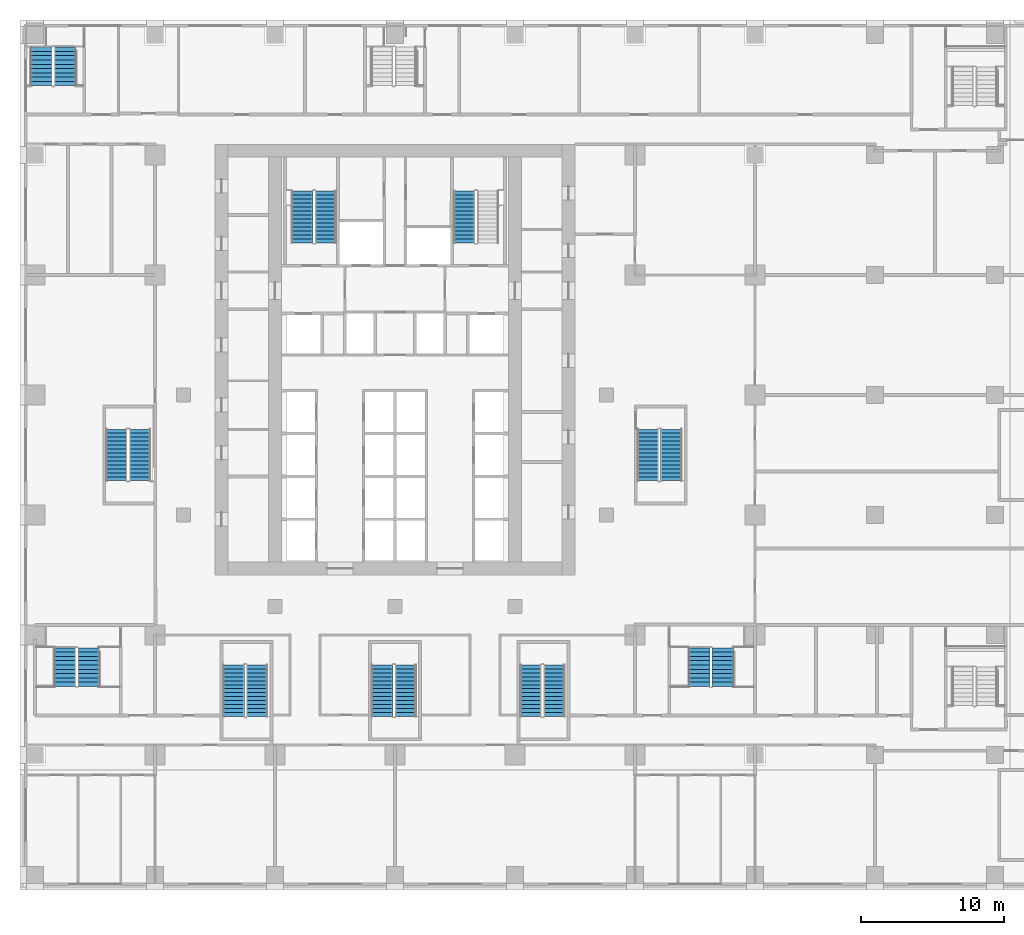
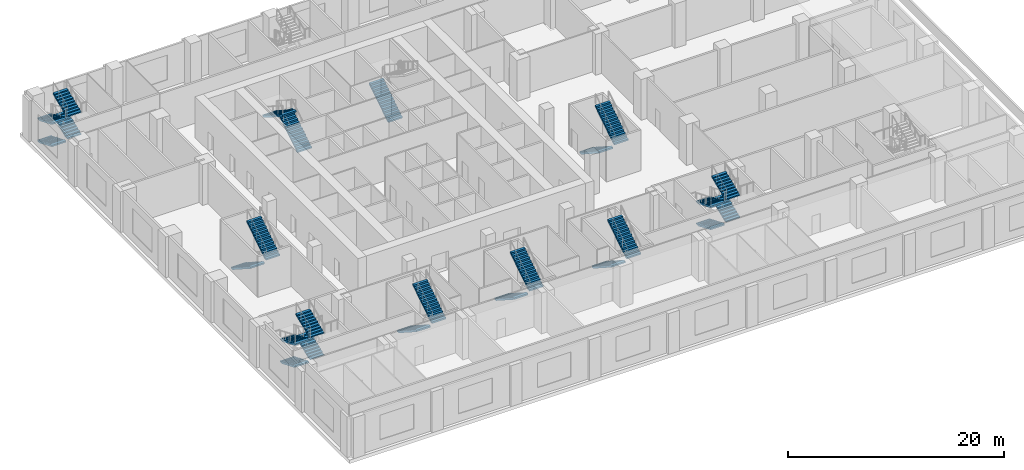
# One storey, part 13 of 23: 25 stair flights, 10 elements without a shape of their own.
"""IFC4 building model written with IfcOpenShell, lengths in metres."""

from ifc_helpers import new_model, si_unit, direction, frame, origin, place, context, subcontext, project, spatial, polyline, outline, extrude, material, type_object, element, aggregate, save


model = new_model("IFC4")

# Units and contexts
model_context = context("Model", 3, precision=1e-05, world=origin(), true_north=direction((0.0, 1.0)))
body_context = subcontext(model_context, "Body", "Model", "MODEL_VIEW")
ifc_project = project(units=[si_unit("LENGTHUNIT", "METRE"), si_unit("AREAUNIT", "SQUARE_METRE"), si_unit("VOLUMEUNIT", "CUBIC_METRE"), si_unit("PLANEANGLEUNIT", "RADIAN"), si_unit("MASSUNIT", "GRAM", prefix="KILO")], contexts=[model_context])

# Site, building, storey
site_placement = place(None, origin())
site = spatial("IfcSite", under=ifc_project, at=site_placement, CompositionType="ELEMENT")
building_placement = place(site_placement, origin())
building = spatial("IfcBuilding", under=site, at=building_placement, Name="Vermilion Ogive Tower", CompositionType="ELEMENT")
storey_placement = place(building_placement, frame((0.0, 0.0, 20.0)))
storey = spatial("IfcBuildingStorey", under=building, at=storey_placement, Name="L03", CompositionType="ELEMENT", Elevation=20.0)

# Stair, stair flights
ifc_material_1 = material(Name="Concrete B40", Category="concrete")
stair_type = type_object("IfcStairType", Name="Exit stair 1500", PredefinedType="HALF_TURN_STAIR", material=ifc_material_1)
stair_1_placement = place(storey_placement, origin())
stair_1 = element("IfcStair", 1, at=stair_1_placement, inside=storey, type_object=stair_type, Name="L03 Exit Stair ST1", PredefinedType="HALF_TURN_STAIR")
ifc_material_2 = material(Name="Concrete B40", Category="concrete")
stair_flight_type = type_object("IfcStairFlightType", Name="Stair flight 1500", PredefinedType="STRAIGHT", material=ifc_material_2)
stair_flight_1_placement = place(storey_placement, frame((-4.85009765625, 14.85009765625, 0.0), z_axis=(0.0, 0.0, 1.0), x_axis=(0.0, 1.0, 0.0)))
stair_flight_1 = element("IfcStairFlight", 2, at=stair_flight_1_placement, type_object=stair_flight_type, Name="ST1 flight 1", NumberOfRisers=14, NumberOfTreads=13, PredefinedType="STRAIGHT", RiserHeight=0.178571429, TreadLength=0.28, context=body_context, shape_type="SweptSolid", body=[
    extrude(outline(polyline([(0.0, 0.0), (0.0, 0.178466796875), (0.280029296875, 0.178466796875), (0.280029296875, 0.357177734375), (0.56005859375, 0.357177734375), (0.56005859375, 0.53564453125), (0.840087890625, 0.53564453125), (0.840087890625, 0.71435546875), (1.1201171875, 0.71435546875), (1.1201171875, 0.892822265625), (1.39990234375, 0.892822265625), (1.39990234375, 1.071533203125), (1.679931640625, 1.071533203125), (1.679931640625, 1.25), (1.9599609375, 1.25), (1.9599609375, 1.428466796875), (2.239990234375, 1.428466796875), (2.239990234375, 1.607177734375), (2.52001953125, 1.607177734375), (2.52001953125, 1.78564453125), (2.800048828125, 1.78564453125), (2.800048828125, 1.96435546875), (3.080078125, 1.96435546875), (3.080078125, 2.142822265625), (3.360107421875, 2.142822265625), (3.360107421875, 2.321533203125), (3.639892578125, 2.321533203125), (3.639892578125, 2.5), (3.639892578125, 2.1435546875), (0.27880859375, 0.0), (0.0, 0.0)])), frame((0.0, 0.75, 0.0), z_axis=(0.0, -1.0, 0.0), x_axis=(1.0, 0.0, 0.0)), (0.0, 0.0, 1.0), 1.5),
])
stair_flight_2_placement = place(storey_placement, frame((-6.5, 18.489990234375, 2.5), z_axis=(0.0, 0.0, 1.0), x_axis=(0.0, -1.0, 0.0)))
stair_flight_2 = element("IfcStairFlight", 3, at=stair_flight_2_placement, type_object=stair_flight_type, Name="ST1 flight 2", NumberOfRisers=14, NumberOfTreads=13, PredefinedType="STRAIGHT", RiserHeight=0.178571429, TreadLength=0.28, context=body_context, shape_type="SweptSolid", body=[
    extrude(outline(polyline([(0.0, 0.0), (0.0, 0.178466796875), (0.280029296875, 0.178466796875), (0.280029296875, 0.357177734375), (0.56005859375, 0.357177734375), (0.56005859375, 0.53564453125), (0.840087890625, 0.53564453125), (0.840087890625, 0.71435546875), (1.1201171875, 0.71435546875), (1.1201171875, 0.892822265625), (1.39990234375, 0.892822265625), (1.39990234375, 1.071533203125), (1.679931640625, 1.071533203125), (1.679931640625, 1.25), (1.9599609375, 1.25), (1.9599609375, 1.428466796875), (2.239990234375, 1.428466796875), (2.239990234375, 1.607177734375), (2.52001953125, 1.607177734375), (2.52001953125, 1.78564453125), (2.800048828125, 1.78564453125), (2.800048828125, 1.96435546875), (3.080078125, 1.96435546875), (3.080078125, 2.142822265625), (3.360107421875, 2.142822265625), (3.360107421875, 2.321533203125), (3.639892578125, 2.321533203125), (3.639892578125, 2.5), (3.639892578125, 2.1435546875), (0.27880859375, 0.0), (0.0, 0.0)])), frame((0.0, 0.75, 0.0), z_axis=(0.0, -1.0, 0.0), x_axis=(1.0, 0.0, 0.0)), (0.0, 0.0, 1.0), 1.5),
])
aggregate(stair_1, [stair_flight_1, stair_flight_2])

# Stair, stair flight
stair_2_placement = place(storey_placement, origin())
stair_2 = element("IfcStair", 4, at=stair_2_placement, inside=storey, type_object=stair_type, Name="L03 Exit Stair ST2", PredefinedType="HALF_TURN_STAIR")
stair_flight_3_placement = place(storey_placement, frame((4.85009765625, 14.85009765625, 0.0), z_axis=(0.0, 0.0, 1.0), x_axis=(0.0, 1.0, 0.0)))
stair_flight_3 = element("IfcStairFlight", 5, at=stair_flight_3_placement, type_object=stair_flight_type, Name="ST2 flight 1", NumberOfRisers=14, NumberOfTreads=13, PredefinedType="STRAIGHT", RiserHeight=0.178571429, TreadLength=0.28, context=body_context, shape_type="SweptSolid", body=[
    extrude(outline(polyline([(0.0, 0.0), (0.0, 0.178466796875), (0.280029296875, 0.178466796875), (0.280029296875, 0.357177734375), (0.56005859375, 0.357177734375), (0.56005859375, 0.53564453125), (0.840087890625, 0.53564453125), (0.840087890625, 0.71435546875), (1.1201171875, 0.71435546875), (1.1201171875, 0.892822265625), (1.39990234375, 0.892822265625), (1.39990234375, 1.071533203125), (1.679931640625, 1.071533203125), (1.679931640625, 1.25), (1.9599609375, 1.25), (1.9599609375, 1.428466796875), (2.239990234375, 1.428466796875), (2.239990234375, 1.607177734375), (2.52001953125, 1.607177734375), (2.52001953125, 1.78564453125), (2.800048828125, 1.78564453125), (2.800048828125, 1.96435546875), (3.080078125, 1.96435546875), (3.080078125, 2.142822265625), (3.360107421875, 2.142822265625), (3.360107421875, 2.321533203125), (3.639892578125, 2.321533203125), (3.639892578125, 2.5), (3.639892578125, 2.1435546875), (0.27880859375, 0.0), (0.0, 0.0)])), frame((0.0, 0.75, 0.0), z_axis=(0.0, -1.0, 0.0), x_axis=(1.0, 0.0, 0.0)), (0.0, 0.0, 1.0), 1.5),
])
aggregate(stair_2, [stair_flight_3])

# Stair, stair flights
stair_3_placement = place(storey_placement, origin())
stair_3 = element("IfcStair", 6, at=stair_3_placement, inside=storey, type_object=stair_type, Name="L03 Exit Stair ST3", PredefinedType="HALF_TURN_STAIR")
stair_flight_4_placement = place(storey_placement, frame((-11.300048828125, -14.699951171875, 0.0), z_axis=(0.0, 0.0, 1.0), x_axis=(0.0, -1.0, 0.0)))
stair_flight_4 = element("IfcStairFlight", 7, at=stair_flight_4_placement, type_object=stair_flight_type, Name="ST3 flight 1", NumberOfRisers=14, NumberOfTreads=13, PredefinedType="STRAIGHT", RiserHeight=0.178571429, TreadLength=0.276923077, context=body_context, shape_type="SweptSolid", body=[
    extrude(outline(polyline([(0.0, 0.0), (0.0, 0.178466796875), (0.27685546875, 0.178466796875), (0.27685546875, 0.357177734375), (0.553955078125, 0.357177734375), (0.553955078125, 0.53564453125), (0.830810546875, 0.53564453125), (0.830810546875, 0.71435546875), (1.107666015625, 0.71435546875), (1.107666015625, 0.892822265625), (1.384521484375, 0.892822265625), (1.384521484375, 1.071533203125), (1.66162109375, 1.071533203125), (1.66162109375, 1.25), (1.9384765625, 1.25), (1.9384765625, 1.428466796875), (2.21533203125, 1.428466796875), (2.21533203125, 1.607177734375), (2.4921875, 1.607177734375), (2.4921875, 1.78564453125), (2.769287109375, 1.78564453125), (2.769287109375, 1.96435546875), (3.046142578125, 1.96435546875), (3.046142578125, 2.142822265625), (3.322998046875, 2.142822265625), (3.322998046875, 2.321533203125), (3.60009765625, 2.321533203125), (3.60009765625, 2.5), (3.60009765625, 2.14306640625), (0.276611328125, 0.0), (0.0, 0.0)])), frame((0.0, 0.75, 0.0), z_axis=(0.0, -1.0, 0.0), x_axis=(1.0, 0.0, 0.0)), (0.0, 0.0, 1.0), 1.5),
])
stair_flight_5_placement = place(storey_placement, frame((-9.64990234375, -18.300048828125, 2.5), z_axis=(0.0, 0.0, 1.0), x_axis=(0.0, 1.0, 0.0)))
stair_flight_5 = element("IfcStairFlight", 8, at=stair_flight_5_placement, type_object=stair_flight_type, Name="ST3 flight 2", NumberOfRisers=14, NumberOfTreads=13, PredefinedType="STRAIGHT", RiserHeight=0.178571429, TreadLength=0.276923077, context=body_context, shape_type="SweptSolid", body=[
    extrude(outline(polyline([(0.0, 0.0), (0.0, 0.178466796875), (0.27685546875, 0.178466796875), (0.27685546875, 0.357177734375), (0.553955078125, 0.357177734375), (0.553955078125, 0.53564453125), (0.830810546875, 0.53564453125), (0.830810546875, 0.71435546875), (1.107666015625, 0.71435546875), (1.107666015625, 0.892822265625), (1.384521484375, 0.892822265625), (1.384521484375, 1.071533203125), (1.66162109375, 1.071533203125), (1.66162109375, 1.25), (1.9384765625, 1.25), (1.9384765625, 1.428466796875), (2.21533203125, 1.428466796875), (2.21533203125, 1.607177734375), (2.4921875, 1.607177734375), (2.4921875, 1.78564453125), (2.769287109375, 1.78564453125), (2.769287109375, 1.96435546875), (3.046142578125, 1.96435546875), (3.046142578125, 2.142822265625), (3.322998046875, 2.142822265625), (3.322998046875, 2.321533203125), (3.60009765625, 2.321533203125), (3.60009765625, 2.5), (3.60009765625, 2.14306640625), (0.276611328125, 0.0), (0.0, 0.0)])), frame((0.0, 0.75, 0.0), z_axis=(0.0, -1.0, 0.0), x_axis=(1.0, 0.0, 0.0)), (0.0, 0.0, 1.0), 1.5),
])
aggregate(stair_3, [stair_flight_4, stair_flight_5])

stair_4_placement = place(storey_placement, origin())
stair_4 = element("IfcStair", 9, at=stair_4_placement, inside=storey, type_object=stair_type, Name="L03 Exit Stair ST4", PredefinedType="HALF_TURN_STAIR")
stair_flight_6_placement = place(storey_placement, frame((-0.89990234375, -14.699951171875, 0.0), z_axis=(0.0, 0.0, 1.0), x_axis=(0.0, -1.0, 0.0)))
stair_flight_6 = element("IfcStairFlight", 10, at=stair_flight_6_placement, type_object=stair_flight_type, Name="ST4 flight 1", NumberOfRisers=14, NumberOfTreads=13, PredefinedType="STRAIGHT", RiserHeight=0.178571429, TreadLength=0.276923077, context=body_context, shape_type="SweptSolid", body=[
    extrude(outline(polyline([(0.0, 0.0), (0.0, 0.178466796875), (0.27685546875, 0.178466796875), (0.27685546875, 0.357177734375), (0.553955078125, 0.357177734375), (0.553955078125, 0.53564453125), (0.830810546875, 0.53564453125), (0.830810546875, 0.71435546875), (1.107666015625, 0.71435546875), (1.107666015625, 0.892822265625), (1.384521484375, 0.892822265625), (1.384521484375, 1.071533203125), (1.66162109375, 1.071533203125), (1.66162109375, 1.25), (1.9384765625, 1.25), (1.9384765625, 1.428466796875), (2.21533203125, 1.428466796875), (2.21533203125, 1.607177734375), (2.4921875, 1.607177734375), (2.4921875, 1.78564453125), (2.769287109375, 1.78564453125), (2.769287109375, 1.96435546875), (3.046142578125, 1.96435546875), (3.046142578125, 2.142822265625), (3.322998046875, 2.142822265625), (3.322998046875, 2.321533203125), (3.60009765625, 2.321533203125), (3.60009765625, 2.5), (3.60009765625, 2.14306640625), (0.276611328125, 0.0), (0.0, 0.0)])), frame((0.0, 0.75, 0.0), z_axis=(0.0, -1.0, 0.0), x_axis=(1.0, 0.0, 0.0)), (0.0, 0.0, 1.0), 1.5),
])
stair_flight_7_placement = place(storey_placement, frame((0.75, -18.300048828125, 2.5), z_axis=(0.0, 0.0, 1.0), x_axis=(0.0, 1.0, 0.0)))
stair_flight_7 = element("IfcStairFlight", 11, at=stair_flight_7_placement, type_object=stair_flight_type, Name="ST4 flight 2", NumberOfRisers=14, NumberOfTreads=13, PredefinedType="STRAIGHT", RiserHeight=0.178571429, TreadLength=0.276923077, context=body_context, shape_type="SweptSolid", body=[
    extrude(outline(polyline([(0.0, 0.0), (0.0, 0.178466796875), (0.27685546875, 0.178466796875), (0.27685546875, 0.357177734375), (0.553955078125, 0.357177734375), (0.553955078125, 0.53564453125), (0.830810546875, 0.53564453125), (0.830810546875, 0.71435546875), (1.107666015625, 0.71435546875), (1.107666015625, 0.892822265625), (1.384521484375, 0.892822265625), (1.384521484375, 1.071533203125), (1.66162109375, 1.071533203125), (1.66162109375, 1.25), (1.9384765625, 1.25), (1.9384765625, 1.428466796875), (2.21533203125, 1.428466796875), (2.21533203125, 1.607177734375), (2.4921875, 1.607177734375), (2.4921875, 1.78564453125), (2.769287109375, 1.78564453125), (2.769287109375, 1.96435546875), (3.046142578125, 1.96435546875), (3.046142578125, 2.142822265625), (3.322998046875, 2.142822265625), (3.322998046875, 2.321533203125), (3.60009765625, 2.321533203125), (3.60009765625, 2.5), (3.60009765625, 2.14306640625), (0.276611328125, 0.0), (0.0, 0.0)])), frame((0.0, 0.75, 0.0), z_axis=(0.0, -1.0, 0.0), x_axis=(1.0, 0.0, 0.0)), (0.0, 0.0, 1.0), 1.5),
])
aggregate(stair_4, [stair_flight_6, stair_flight_7])

stair_5_placement = place(storey_placement, origin())
stair_5 = element("IfcStair", 12, at=stair_5_placement, inside=storey, type_object=stair_type, Name="L03 Exit Stair ST5", PredefinedType="HALF_TURN_STAIR")
stair_flight_8_placement = place(storey_placement, frame((9.5, -14.699951171875, 0.0), z_axis=(0.0, 0.0, 1.0), x_axis=(0.0, -1.0, 0.0)))
stair_flight_8 = element("IfcStairFlight", 13, at=stair_flight_8_placement, type_object=stair_flight_type, Name="ST5 flight 1", NumberOfRisers=14, NumberOfTreads=13, PredefinedType="STRAIGHT", RiserHeight=0.178571429, TreadLength=0.276923077, context=body_context, shape_type="SweptSolid", body=[
    extrude(outline(polyline([(0.0, 0.0), (0.0, 0.178466796875), (0.27685546875, 0.178466796875), (0.27685546875, 0.357177734375), (0.553955078125, 0.357177734375), (0.553955078125, 0.53564453125), (0.830810546875, 0.53564453125), (0.830810546875, 0.71435546875), (1.107666015625, 0.71435546875), (1.107666015625, 0.892822265625), (1.384521484375, 0.892822265625), (1.384521484375, 1.071533203125), (1.66162109375, 1.071533203125), (1.66162109375, 1.25), (1.9384765625, 1.25), (1.9384765625, 1.428466796875), (2.21533203125, 1.428466796875), (2.21533203125, 1.607177734375), (2.4921875, 1.607177734375), (2.4921875, 1.78564453125), (2.769287109375, 1.78564453125), (2.769287109375, 1.96435546875), (3.046142578125, 1.96435546875), (3.046142578125, 2.142822265625), (3.322998046875, 2.142822265625), (3.322998046875, 2.321533203125), (3.60009765625, 2.321533203125), (3.60009765625, 2.5), (3.60009765625, 2.14306640625), (0.276611328125, 0.0), (0.0, 0.0)])), frame((0.0, 0.75, 0.0), z_axis=(0.0, -1.0, 0.0), x_axis=(1.0, 0.0, 0.0)), (0.0, 0.0, 1.0), 1.5),
])
stair_flight_9_placement = place(storey_placement, frame((11.14990234375, -18.300048828125, 2.5), z_axis=(0.0, 0.0, 1.0), x_axis=(0.0, 1.0, 0.0)))
stair_flight_9 = element("IfcStairFlight", 14, at=stair_flight_9_placement, type_object=stair_flight_type, Name="ST5 flight 2", NumberOfRisers=14, NumberOfTreads=13, PredefinedType="STRAIGHT", RiserHeight=0.178571429, TreadLength=0.276923077, context=body_context, shape_type="SweptSolid", body=[
    extrude(outline(polyline([(0.0, 0.0), (0.0, 0.178466796875), (0.27685546875, 0.178466796875), (0.27685546875, 0.357177734375), (0.553955078125, 0.357177734375), (0.553955078125, 0.53564453125), (0.830810546875, 0.53564453125), (0.830810546875, 0.71435546875), (1.107666015625, 0.71435546875), (1.107666015625, 0.892822265625), (1.384521484375, 0.892822265625), (1.384521484375, 1.071533203125), (1.66162109375, 1.071533203125), (1.66162109375, 1.25), (1.9384765625, 1.25), (1.9384765625, 1.428466796875), (2.21533203125, 1.428466796875), (2.21533203125, 1.607177734375), (2.4921875, 1.607177734375), (2.4921875, 1.78564453125), (2.769287109375, 1.78564453125), (2.769287109375, 1.96435546875), (3.046142578125, 1.96435546875), (3.046142578125, 2.142822265625), (3.322998046875, 2.142822265625), (3.322998046875, 2.321533203125), (3.60009765625, 2.321533203125), (3.60009765625, 2.5), (3.60009765625, 2.14306640625), (0.276611328125, 0.0), (0.0, 0.0)])), frame((0.0, 0.75, 0.0), z_axis=(0.0, -1.0, 0.0), x_axis=(1.0, 0.0, 0.0)), (0.0, 0.0, 1.0), 1.5),
])
aggregate(stair_5, [stair_flight_8, stair_flight_9])

stair_6_placement = place(storey_placement, origin())
stair_6 = element("IfcStair", 15, at=stair_6_placement, inside=storey, type_object=stair_type, Name="L03 Exit Stair ST8", PredefinedType="HALF_TURN_STAIR")
stair_flight_10_placement = place(storey_placement, frame((17.699951171875, 1.800048828125, 0.0), z_axis=(0.0, 0.0, 1.0), x_axis=(0.0, -1.0, 0.0)))
stair_flight_10 = element("IfcStairFlight", 16, at=stair_flight_10_placement, type_object=stair_flight_type, Name="ST8 flight 1", NumberOfRisers=14, NumberOfTreads=13, PredefinedType="STRAIGHT", RiserHeight=0.178571429, TreadLength=0.276923077, context=body_context, shape_type="SweptSolid", body=[
    extrude(outline(polyline([(0.0, 0.0), (0.0, 0.178466796875), (0.27685546875, 0.178466796875), (0.27685546875, 0.357177734375), (0.553955078125, 0.357177734375), (0.553955078125, 0.53564453125), (0.830810546875, 0.53564453125), (0.830810546875, 0.71435546875), (1.107666015625, 0.71435546875), (1.107666015625, 0.892822265625), (1.384521484375, 0.892822265625), (1.384521484375, 1.071533203125), (1.66162109375, 1.071533203125), (1.66162109375, 1.25), (1.9384765625, 1.25), (1.9384765625, 1.428466796875), (2.21533203125, 1.428466796875), (2.21533203125, 1.607177734375), (2.4921875, 1.607177734375), (2.4921875, 1.78564453125), (2.769287109375, 1.78564453125), (2.769287109375, 1.96435546875), (3.046142578125, 1.96435546875), (3.046142578125, 2.142822265625), (3.322998046875, 2.142822265625), (3.322998046875, 2.321533203125), (3.60009765625, 2.321533203125), (3.60009765625, 2.5), (3.60009765625, 2.14306640625), (0.276611328125, 0.0), (0.0, 0.0)])), frame((0.0, 0.75, 0.0), z_axis=(0.0, -1.0, 0.0), x_axis=(1.0, 0.0, 0.0)), (0.0, 0.0, 1.0), 1.5),
])
stair_flight_11_placement = place(storey_placement, frame((19.35009765625, -1.800048828125, 2.5), z_axis=(0.0, 0.0, 1.0), x_axis=(0.0, 1.0, 0.0)))
stair_flight_11 = element("IfcStairFlight", 17, at=stair_flight_11_placement, type_object=stair_flight_type, Name="ST8 flight 2", NumberOfRisers=14, NumberOfTreads=13, PredefinedType="STRAIGHT", RiserHeight=0.178571429, TreadLength=0.276923077, context=body_context, shape_type="SweptSolid", body=[
    extrude(outline(polyline([(0.0, 0.0), (0.0, 0.178466796875), (0.27685546875, 0.178466796875), (0.27685546875, 0.357177734375), (0.553955078125, 0.357177734375), (0.553955078125, 0.53564453125), (0.830810546875, 0.53564453125), (0.830810546875, 0.71435546875), (1.107666015625, 0.71435546875), (1.107666015625, 0.892822265625), (1.384521484375, 0.892822265625), (1.384521484375, 1.071533203125), (1.66162109375, 1.071533203125), (1.66162109375, 1.25), (1.9384765625, 1.25), (1.9384765625, 1.428466796875), (2.21533203125, 1.428466796875), (2.21533203125, 1.607177734375), (2.4921875, 1.607177734375), (2.4921875, 1.78564453125), (2.769287109375, 1.78564453125), (2.769287109375, 1.96435546875), (3.046142578125, 1.96435546875), (3.046142578125, 2.142822265625), (3.322998046875, 2.142822265625), (3.322998046875, 2.321533203125), (3.60009765625, 2.321533203125), (3.60009765625, 2.5), (3.60009765625, 2.14306640625), (0.276611328125, 0.0), (0.0, 0.0)])), frame((0.0, 0.75, 0.0), z_axis=(0.0, -1.0, 0.0), x_axis=(1.0, 0.0, 0.0)), (0.0, 0.0, 1.0), 1.5),
])
aggregate(stair_6, [stair_flight_10, stair_flight_11])

stair_7_placement = place(storey_placement, origin())
stair_7 = element("IfcStair", 18, at=stair_7_placement, inside=storey, type_object=stair_type, Name="L03 Exit Stair ST9", PredefinedType="HALF_TURN_STAIR")
stair_flight_12_placement = place(storey_placement, frame((-19.5, 1.800048828125, 0.0), z_axis=(0.0, 0.0, 1.0), x_axis=(0.0, -1.0, 0.0)))
stair_flight_12 = element("IfcStairFlight", 19, at=stair_flight_12_placement, type_object=stair_flight_type, Name="ST9 flight 1", NumberOfRisers=14, NumberOfTreads=13, PredefinedType="STRAIGHT", RiserHeight=0.178571429, TreadLength=0.276923077, context=body_context, shape_type="SweptSolid", body=[
    extrude(outline(polyline([(0.0, 0.0), (0.0, 0.178466796875), (0.27685546875, 0.178466796875), (0.27685546875, 0.357177734375), (0.553955078125, 0.357177734375), (0.553955078125, 0.53564453125), (0.830810546875, 0.53564453125), (0.830810546875, 0.71435546875), (1.107666015625, 0.71435546875), (1.107666015625, 0.892822265625), (1.384521484375, 0.892822265625), (1.384521484375, 1.071533203125), (1.66162109375, 1.071533203125), (1.66162109375, 1.25), (1.9384765625, 1.25), (1.9384765625, 1.428466796875), (2.21533203125, 1.428466796875), (2.21533203125, 1.607177734375), (2.4921875, 1.607177734375), (2.4921875, 1.78564453125), (2.769287109375, 1.78564453125), (2.769287109375, 1.96435546875), (3.046142578125, 1.96435546875), (3.046142578125, 2.142822265625), (3.322998046875, 2.142822265625), (3.322998046875, 2.321533203125), (3.60009765625, 2.321533203125), (3.60009765625, 2.5), (3.60009765625, 2.14306640625), (0.276611328125, 0.0), (0.0, 0.0)])), frame((0.0, 0.75, 0.0), z_axis=(0.0, -1.0, 0.0), x_axis=(1.0, 0.0, 0.0)), (0.0, 0.0, 1.0), 1.5),
])
stair_flight_13_placement = place(storey_placement, frame((-17.85009765625, -1.800048828125, 2.5), z_axis=(0.0, 0.0, 1.0), x_axis=(0.0, 1.0, 0.0)))
stair_flight_13 = element("IfcStairFlight", 20, at=stair_flight_13_placement, type_object=stair_flight_type, Name="ST9 flight 2", NumberOfRisers=14, NumberOfTreads=13, PredefinedType="STRAIGHT", RiserHeight=0.178571429, TreadLength=0.276923077, context=body_context, shape_type="SweptSolid", body=[
    extrude(outline(polyline([(0.0, 0.0), (0.0, 0.178466796875), (0.27685546875, 0.178466796875), (0.27685546875, 0.357177734375), (0.553955078125, 0.357177734375), (0.553955078125, 0.53564453125), (0.830810546875, 0.53564453125), (0.830810546875, 0.71435546875), (1.107666015625, 0.71435546875), (1.107666015625, 0.892822265625), (1.384521484375, 0.892822265625), (1.384521484375, 1.071533203125), (1.66162109375, 1.071533203125), (1.66162109375, 1.25), (1.9384765625, 1.25), (1.9384765625, 1.428466796875), (2.21533203125, 1.428466796875), (2.21533203125, 1.607177734375), (2.4921875, 1.607177734375), (2.4921875, 1.78564453125), (2.769287109375, 1.78564453125), (2.769287109375, 1.96435546875), (3.046142578125, 1.96435546875), (3.046142578125, 2.142822265625), (3.322998046875, 2.142822265625), (3.322998046875, 2.321533203125), (3.60009765625, 2.321533203125), (3.60009765625, 2.5), (3.60009765625, 2.14306640625), (0.276611328125, 0.0), (0.0, 0.0)])), frame((0.0, 0.75, 0.0), z_axis=(0.0, -1.0, 0.0), x_axis=(1.0, 0.0, 0.0)), (0.0, 0.0, 1.0), 1.5),
])
aggregate(stair_7, [stair_flight_12, stair_flight_13])

stair_8_placement = place(storey_placement, origin())
stair_8 = element("IfcStair", 21, at=stair_8_placement, inside=storey, type_object=stair_type, Name="L03 Exit Stair PS1", PredefinedType="HALF_TURN_STAIR")
stair_flight_14_placement = place(storey_placement, frame((-24.75, 28.550048828125, 0.0), z_axis=(0.0, 0.0, 1.0), x_axis=(0.0, -1.0, 0.0)))
stair_flight_14 = element("IfcStairFlight", 22, at=stair_flight_14_placement, type_object=stair_flight_type, Name="PS1 flight 1", NumberOfRisers=10, NumberOfTreads=9, PredefinedType="STRAIGHT", RiserHeight=0.125, TreadLength=0.3, context=body_context, shape_type="SweptSolid", body=[
    extrude(outline(polyline([(0.0, 0.0), (0.0, 0.125), (0.300048828125, 0.125), (0.300048828125, 0.25), (0.60009765625, 0.25), (0.60009765625, 0.375), (0.89990234375, 0.375), (0.89990234375, 0.5), (1.199951171875, 0.5), (1.199951171875, 0.625), (1.5, 0.625), (1.5, 0.75), (1.800048828125, 0.75), (1.800048828125, 0.875), (2.10009765625, 0.875), (2.10009765625, 1.0), (2.39990234375, 1.0), (2.39990234375, 1.125), (2.699951171875, 1.125), (2.699951171875, 1.25), (2.699951171875, 0.962646484375), (0.3896484375, 0.0), (0.0, 0.0)])), frame((0.0, 0.75, 0.0), z_axis=(0.0, -1.0, 0.0), x_axis=(1.0, 0.0, 0.0)), (0.0, 0.0, 1.0), 1.5),
])
stair_flight_15_placement = place(storey_placement, frame((-23.10009765625, 25.85009765625, 1.25), z_axis=(0.0, 0.0, 1.0), x_axis=(0.0, 1.0, 0.0)))
stair_flight_15 = element("IfcStairFlight", 23, at=stair_flight_15_placement, type_object=stair_flight_type, Name="PS1 flight 2", NumberOfRisers=10, NumberOfTreads=9, PredefinedType="STRAIGHT", RiserHeight=0.125, TreadLength=0.3, context=body_context, shape_type="SweptSolid", body=[
    extrude(outline(polyline([(0.0, 0.0), (0.0, 0.125), (0.300048828125, 0.125), (0.300048828125, 0.25), (0.60009765625, 0.25), (0.60009765625, 0.375), (0.89990234375, 0.375), (0.89990234375, 0.5), (1.199951171875, 0.5), (1.199951171875, 0.625), (1.5, 0.625), (1.5, 0.75), (1.800048828125, 0.75), (1.800048828125, 0.875), (2.10009765625, 0.875), (2.10009765625, 1.0), (2.39990234375, 1.0), (2.39990234375, 1.125), (2.699951171875, 1.125), (2.699951171875, 1.25), (2.699951171875, 0.962646484375), (0.3896484375, 0.0), (0.0, 0.0)])), frame((0.0, 0.75, 0.0), z_axis=(0.0, -1.0, 0.0), x_axis=(1.0, 0.0, 0.0)), (0.0, 0.0, 1.0), 1.5),
])
stair_flight_16_placement = place(storey_placement, frame((-24.75, 28.550048828125, 2.5), z_axis=(0.0, 0.0, 1.0), x_axis=(0.0, -1.0, 0.0)))
stair_flight_16 = element("IfcStairFlight", 24, at=stair_flight_16_placement, type_object=stair_flight_type, Name="PS1 flight 3", NumberOfRisers=10, NumberOfTreads=9, PredefinedType="STRAIGHT", RiserHeight=0.125, TreadLength=0.3, context=body_context, shape_type="SweptSolid", body=[
    extrude(outline(polyline([(0.0, 0.0), (0.0, 0.125), (0.300048828125, 0.125), (0.300048828125, 0.25), (0.60009765625, 0.25), (0.60009765625, 0.375), (0.89990234375, 0.375), (0.89990234375, 0.5), (1.199951171875, 0.5), (1.199951171875, 0.625), (1.5, 0.625), (1.5, 0.75), (1.800048828125, 0.75), (1.800048828125, 0.875), (2.10009765625, 0.875), (2.10009765625, 1.0), (2.39990234375, 1.0), (2.39990234375, 1.125), (2.699951171875, 1.125), (2.699951171875, 1.25), (2.699951171875, 0.962646484375), (0.3896484375, 0.0), (0.0, 0.0)])), frame((0.0, 0.75, 0.0), z_axis=(0.0, -1.0, 0.0), x_axis=(1.0, 0.0, 0.0)), (0.0, 0.0, 1.0), 1.5),
])
stair_flight_17_placement = place(storey_placement, frame((-23.10009765625, 25.85009765625, 3.75), z_axis=(0.0, 0.0, 1.0), x_axis=(0.0, 1.0, 0.0)))
stair_flight_17 = element("IfcStairFlight", 25, at=stair_flight_17_placement, type_object=stair_flight_type, Name="PS1 flight 4", NumberOfRisers=10, NumberOfTreads=9, PredefinedType="STRAIGHT", RiserHeight=0.125, TreadLength=0.3, context=body_context, shape_type="SweptSolid", body=[
    extrude(outline(polyline([(0.0, 0.0), (0.0, 0.125), (0.300048828125, 0.125), (0.300048828125, 0.25), (0.60009765625, 0.25), (0.60009765625, 0.375), (0.89990234375, 0.375), (0.89990234375, 0.5), (1.199951171875, 0.5), (1.199951171875, 0.625), (1.5, 0.625), (1.5, 0.75), (1.800048828125, 0.75), (1.800048828125, 0.875), (2.10009765625, 0.875), (2.10009765625, 1.0), (2.39990234375, 1.0), (2.39990234375, 1.125), (2.699951171875, 1.125), (2.699951171875, 1.25), (2.699951171875, 0.962646484375), (0.3896484375, 0.0), (0.0, 0.0)])), frame((0.0, 0.75, 0.0), z_axis=(0.0, -1.0, 0.0), x_axis=(1.0, 0.0, 0.0)), (0.0, 0.0, 1.0), 1.5),
])
aggregate(stair_8, [stair_flight_14, stair_flight_15, stair_flight_16, stair_flight_17])

stair_9_placement = place(storey_placement, origin())
stair_9 = element("IfcStair", 26, at=stair_9_placement, inside=storey, type_object=stair_type, Name="L03 Exit Stair PS3", PredefinedType="HALF_TURN_STAIR")
stair_flight_18_placement = place(storey_placement, frame((21.300048828125, -13.5, 0.0), z_axis=(0.0, 0.0, 1.0), x_axis=(0.0, -1.0, 0.0)))
stair_flight_18 = element("IfcStairFlight", 27, at=stair_flight_18_placement, type_object=stair_flight_type, Name="PS3 flight 1", NumberOfRisers=10, NumberOfTreads=9, PredefinedType="STRAIGHT", RiserHeight=0.125, TreadLength=0.3, context=body_context, shape_type="SweptSolid", body=[
    extrude(outline(polyline([(0.0, 0.0), (0.0, 0.125), (0.300048828125, 0.125), (0.300048828125, 0.25), (0.60009765625, 0.25), (0.60009765625, 0.375), (0.89990234375, 0.375), (0.89990234375, 0.5), (1.199951171875, 0.5), (1.199951171875, 0.625), (1.5, 0.625), (1.5, 0.75), (1.800048828125, 0.75), (1.800048828125, 0.875), (2.10009765625, 0.875), (2.10009765625, 1.0), (2.39990234375, 1.0), (2.39990234375, 1.125), (2.699951171875, 1.125), (2.699951171875, 1.25), (2.699951171875, 0.962646484375), (0.3896484375, 0.0), (0.0, 0.0)])), frame((0.0, 0.75, 0.0), z_axis=(0.0, -1.0, 0.0), x_axis=(1.0, 0.0, 0.0)), (0.0, 0.0, 1.0), 1.5),
])
stair_flight_19_placement = place(storey_placement, frame((22.949951171875, -16.199951171875, 1.25), z_axis=(0.0, 0.0, 1.0), x_axis=(0.0, 1.0, 0.0)))
stair_flight_19 = element("IfcStairFlight", 28, at=stair_flight_19_placement, type_object=stair_flight_type, Name="PS3 flight 2", NumberOfRisers=10, NumberOfTreads=9, PredefinedType="STRAIGHT", RiserHeight=0.125, TreadLength=0.3, context=body_context, shape_type="SweptSolid", body=[
    extrude(outline(polyline([(0.0, 0.0), (0.0, 0.125), (0.300048828125, 0.125), (0.300048828125, 0.25), (0.60009765625, 0.25), (0.60009765625, 0.375), (0.89990234375, 0.375), (0.89990234375, 0.5), (1.199951171875, 0.5), (1.199951171875, 0.625), (1.5, 0.625), (1.5, 0.75), (1.800048828125, 0.75), (1.800048828125, 0.875), (2.10009765625, 0.875), (2.10009765625, 1.0), (2.39990234375, 1.0), (2.39990234375, 1.125), (2.699951171875, 1.125), (2.699951171875, 1.25), (2.699951171875, 0.962646484375), (0.3896484375, 0.0), (0.0, 0.0)])), frame((0.0, 0.75, 0.0), z_axis=(0.0, -1.0, 0.0), x_axis=(1.0, 0.0, 0.0)), (0.0, 0.0, 1.0), 1.5),
])
stair_flight_20_placement = place(storey_placement, frame((21.300048828125, -13.5, 2.5), z_axis=(0.0, 0.0, 1.0), x_axis=(0.0, -1.0, 0.0)))
stair_flight_20 = element("IfcStairFlight", 29, at=stair_flight_20_placement, type_object=stair_flight_type, Name="PS3 flight 3", NumberOfRisers=10, NumberOfTreads=9, PredefinedType="STRAIGHT", RiserHeight=0.125, TreadLength=0.3, context=body_context, shape_type="SweptSolid", body=[
    extrude(outline(polyline([(0.0, 0.0), (0.0, 0.125), (0.300048828125, 0.125), (0.300048828125, 0.25), (0.60009765625, 0.25), (0.60009765625, 0.375), (0.89990234375, 0.375), (0.89990234375, 0.5), (1.199951171875, 0.5), (1.199951171875, 0.625), (1.5, 0.625), (1.5, 0.75), (1.800048828125, 0.75), (1.800048828125, 0.875), (2.10009765625, 0.875), (2.10009765625, 1.0), (2.39990234375, 1.0), (2.39990234375, 1.125), (2.699951171875, 1.125), (2.699951171875, 1.25), (2.699951171875, 0.962646484375), (0.3896484375, 0.0), (0.0, 0.0)])), frame((0.0, 0.75, 0.0), z_axis=(0.0, -1.0, 0.0), x_axis=(1.0, 0.0, 0.0)), (0.0, 0.0, 1.0), 1.5),
])
stair_flight_21_placement = place(storey_placement, frame((22.949951171875, -16.199951171875, 3.75), z_axis=(0.0, 0.0, 1.0), x_axis=(0.0, 1.0, 0.0)))
stair_flight_21 = element("IfcStairFlight", 30, at=stair_flight_21_placement, type_object=stair_flight_type, Name="PS3 flight 4", NumberOfRisers=10, NumberOfTreads=9, PredefinedType="STRAIGHT", RiserHeight=0.125, TreadLength=0.3, context=body_context, shape_type="SweptSolid", body=[
    extrude(outline(polyline([(0.0, 0.0), (0.0, 0.125), (0.300048828125, 0.125), (0.300048828125, 0.25), (0.60009765625, 0.25), (0.60009765625, 0.375), (0.89990234375, 0.375), (0.89990234375, 0.5), (1.199951171875, 0.5), (1.199951171875, 0.625), (1.5, 0.625), (1.5, 0.75), (1.800048828125, 0.75), (1.800048828125, 0.875), (2.10009765625, 0.875), (2.10009765625, 1.0), (2.39990234375, 1.0), (2.39990234375, 1.125), (2.699951171875, 1.125), (2.699951171875, 1.25), (2.699951171875, 0.962646484375), (0.3896484375, 0.0), (0.0, 0.0)])), frame((0.0, 0.75, 0.0), z_axis=(0.0, -1.0, 0.0), x_axis=(1.0, 0.0, 0.0)), (0.0, 0.0, 1.0), 1.5),
])
aggregate(stair_9, [stair_flight_18, stair_flight_19, stair_flight_20, stair_flight_21])

stair_10_placement = place(storey_placement, origin())
stair_10 = element("IfcStair", 31, at=stair_10_placement, inside=storey, type_object=stair_type, Name="L03 Exit Stair PS4", PredefinedType="HALF_TURN_STAIR")
stair_flight_22_placement = place(storey_placement, frame((-23.10009765625, -13.5, 0.0), z_axis=(0.0, 0.0, 1.0), x_axis=(0.0, -1.0, 0.0)))
stair_flight_22 = element("IfcStairFlight", 32, at=stair_flight_22_placement, type_object=stair_flight_type, Name="PS4 flight 1", NumberOfRisers=10, NumberOfTreads=9, PredefinedType="STRAIGHT", RiserHeight=0.125, TreadLength=0.3, context=body_context, shape_type="SweptSolid", body=[
    extrude(outline(polyline([(0.0, 0.0), (0.0, 0.125), (0.300048828125, 0.125), (0.300048828125, 0.25), (0.60009765625, 0.25), (0.60009765625, 0.375), (0.89990234375, 0.375), (0.89990234375, 0.5), (1.199951171875, 0.5), (1.199951171875, 0.625), (1.5, 0.625), (1.5, 0.75), (1.800048828125, 0.75), (1.800048828125, 0.875), (2.10009765625, 0.875), (2.10009765625, 1.0), (2.39990234375, 1.0), (2.39990234375, 1.125), (2.699951171875, 1.125), (2.699951171875, 1.25), (2.699951171875, 0.962646484375), (0.3896484375, 0.0), (0.0, 0.0)])), frame((0.0, 0.75, 0.0), z_axis=(0.0, -1.0, 0.0), x_axis=(1.0, 0.0, 0.0)), (0.0, 0.0, 1.0), 1.5),
])
stair_flight_23_placement = place(storey_placement, frame((-21.449951171875, -16.199951171875, 1.25), z_axis=(0.0, 0.0, 1.0), x_axis=(0.0, 1.0, 0.0)))
stair_flight_23 = element("IfcStairFlight", 33, at=stair_flight_23_placement, type_object=stair_flight_type, Name="PS4 flight 2", NumberOfRisers=10, NumberOfTreads=9, PredefinedType="STRAIGHT", RiserHeight=0.125, TreadLength=0.3, context=body_context, shape_type="SweptSolid", body=[
    extrude(outline(polyline([(0.0, 0.0), (0.0, 0.125), (0.300048828125, 0.125), (0.300048828125, 0.25), (0.60009765625, 0.25), (0.60009765625, 0.375), (0.89990234375, 0.375), (0.89990234375, 0.5), (1.199951171875, 0.5), (1.199951171875, 0.625), (1.5, 0.625), (1.5, 0.75), (1.800048828125, 0.75), (1.800048828125, 0.875), (2.10009765625, 0.875), (2.10009765625, 1.0), (2.39990234375, 1.0), (2.39990234375, 1.125), (2.699951171875, 1.125), (2.699951171875, 1.25), (2.699951171875, 0.962646484375), (0.3896484375, 0.0), (0.0, 0.0)])), frame((0.0, 0.75, 0.0), z_axis=(0.0, -1.0, 0.0), x_axis=(1.0, 0.0, 0.0)), (0.0, 0.0, 1.0), 1.5),
])
stair_flight_24_placement = place(storey_placement, frame((-23.10009765625, -13.5, 2.5), z_axis=(0.0, 0.0, 1.0), x_axis=(0.0, -1.0, 0.0)))
stair_flight_24 = element("IfcStairFlight", 34, at=stair_flight_24_placement, type_object=stair_flight_type, Name="PS4 flight 3", NumberOfRisers=10, NumberOfTreads=9, PredefinedType="STRAIGHT", RiserHeight=0.125, TreadLength=0.3, context=body_context, shape_type="SweptSolid", body=[
    extrude(outline(polyline([(0.0, 0.0), (0.0, 0.125), (0.300048828125, 0.125), (0.300048828125, 0.25), (0.60009765625, 0.25), (0.60009765625, 0.375), (0.89990234375, 0.375), (0.89990234375, 0.5), (1.199951171875, 0.5), (1.199951171875, 0.625), (1.5, 0.625), (1.5, 0.75), (1.800048828125, 0.75), (1.800048828125, 0.875), (2.10009765625, 0.875), (2.10009765625, 1.0), (2.39990234375, 1.0), (2.39990234375, 1.125), (2.699951171875, 1.125), (2.699951171875, 1.25), (2.699951171875, 0.962646484375), (0.3896484375, 0.0), (0.0, 0.0)])), frame((0.0, 0.75, 0.0), z_axis=(0.0, -1.0, 0.0), x_axis=(1.0, 0.0, 0.0)), (0.0, 0.0, 1.0), 1.5),
])
stair_flight_25_placement = place(storey_placement, frame((-21.449951171875, -16.199951171875, 3.75), z_axis=(0.0, 0.0, 1.0), x_axis=(0.0, 1.0, 0.0)))
stair_flight_25 = element("IfcStairFlight", 35, at=stair_flight_25_placement, type_object=stair_flight_type, Name="PS4 flight 4", NumberOfRisers=10, NumberOfTreads=9, PredefinedType="STRAIGHT", RiserHeight=0.125, TreadLength=0.3, context=body_context, shape_type="SweptSolid", body=[
    extrude(outline(polyline([(0.0, 0.0), (0.0, 0.125), (0.300048828125, 0.125), (0.300048828125, 0.25), (0.60009765625, 0.25), (0.60009765625, 0.375), (0.89990234375, 0.375), (0.89990234375, 0.5), (1.199951171875, 0.5), (1.199951171875, 0.625), (1.5, 0.625), (1.5, 0.75), (1.800048828125, 0.75), (1.800048828125, 0.875), (2.10009765625, 0.875), (2.10009765625, 1.0), (2.39990234375, 1.0), (2.39990234375, 1.125), (2.699951171875, 1.125), (2.699951171875, 1.25), (2.699951171875, 0.962646484375), (0.3896484375, 0.0), (0.0, 0.0)])), frame((0.0, 0.75, 0.0), z_axis=(0.0, -1.0, 0.0), x_axis=(1.0, 0.0, 0.0)), (0.0, 0.0, 1.0), 1.5),
])
aggregate(stair_10, [stair_flight_22, stair_flight_23, stair_flight_24, stair_flight_25])

save(model, "model.ifc")
